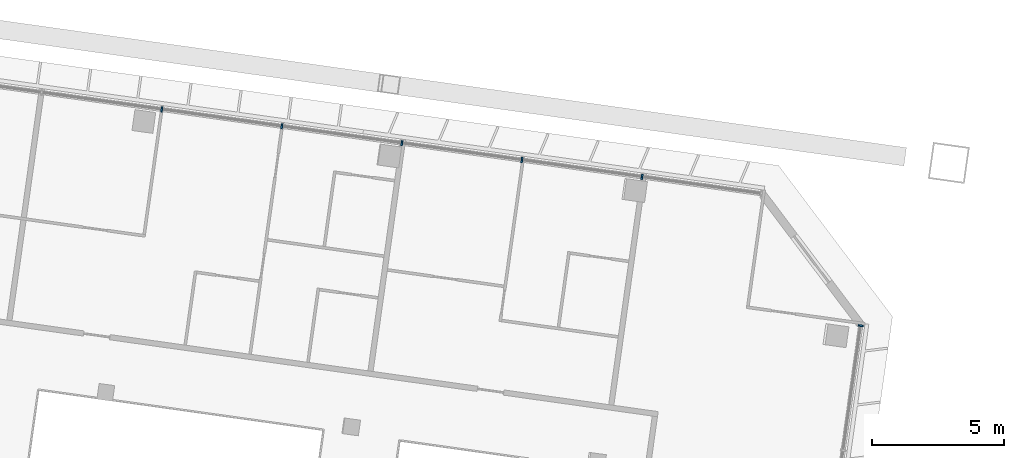
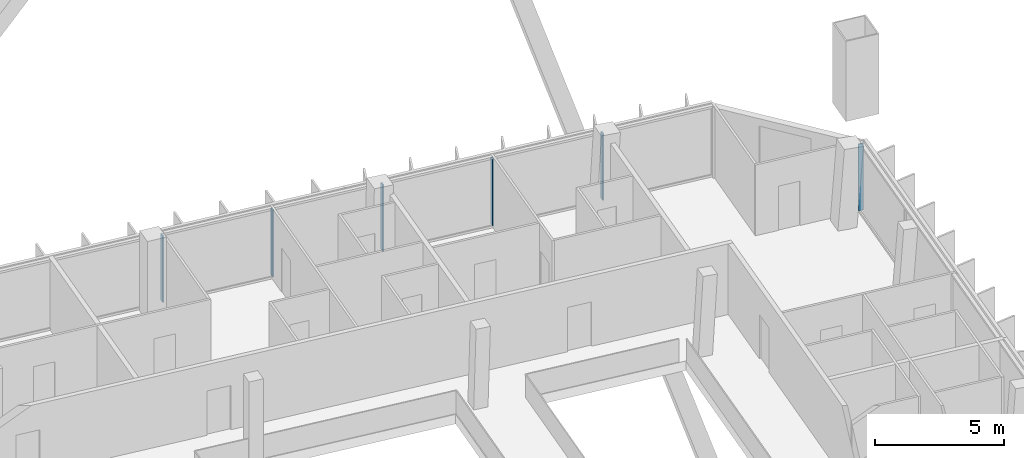
# One storey, part 11 of 38: 6 members, 2 elements without a shape of their own.
"""IFC4 building model written with IfcOpenShell, lengths in metres."""

from ifc_helpers import new_model, si_unit, direction, frame, origin, origin_2d, place, context, subcontext, project, spatial, rectangle, extrude, material, material_profile, profile_set, type_object, element, aggregate, save


model = new_model("IFC4")

# Units and contexts
model_context = context("Model", 3, precision=1e-05, world=origin(), true_north=direction((0.0, 1.0)))
body_context = subcontext(model_context, "Body", "Model", "MODEL_VIEW")
ifc_project = project(units=[si_unit("LENGTHUNIT", "METRE"), si_unit("AREAUNIT", "SQUARE_METRE"), si_unit("VOLUMEUNIT", "CUBIC_METRE"), si_unit("PLANEANGLEUNIT", "RADIAN"), si_unit("MASSUNIT", "GRAM", prefix="KILO")], contexts=[model_context])

# Site, building, storey
site_placement = place(None, origin())
site = spatial("IfcSite", under=ifc_project, at=site_placement, CompositionType="ELEMENT")
building_placement = place(site_placement, origin())
building = spatial("IfcBuilding", under=site, at=building_placement, Name="Mirante Cascada Hotel Towers", CompositionType="ELEMENT")
storey_placement = place(building_placement, frame((0.0, 0.0, 184.0)))
storey = spatial("IfcBuildingStorey", under=building, at=storey_placement, Name="L43", CompositionType="ELEMENT", Elevation=184.0)

# Curtain wall, members
ifc_material_1 = material(Name="Aluminium mullion and transom frame with clear laminated glass", Category="aluminium")
curtain_wall_type_1 = type_object("IfcCurtainWallType", Name="Ribbon curtain wall ECW1", PredefinedType="NOTDEFINED", material=ifc_material_1)
curtain_wall_1_placement = place(storey_placement, origin())
curtain_wall_1 = element("IfcCurtainWall", 1, at=curtain_wall_1_placement, inside=storey, type_object=curtain_wall_type_1, Name="Front ribbon wall T1 L43", PredefinedType="NOTDEFINED")
ifc_material_2 = material(Name="Anodised aluminium extrusion", Category="aluminium")
ifc_material_profile_1 = material_profile(ifc_material_2, rectangle(XDim=0.2, YDim=0.065, at=origin_2d()), Name="ECW1 MULLION 65x200")
ifc_profile_set_1 = profile_set([ifc_material_profile_1], Name="Anodised aluminium extrusion")
member_type_1 = type_object("IfcMemberType", Name="ECW1 mullion 65x200", PredefinedType="MULLION", material=ifc_profile_set_1)
member_1_placement = place(storey_placement, frame((-53.5096, 20.3393, 0.1), z_axis=(0.0, 0.0, 1.0), x_axis=(0.1391731, 0.9902681, 0.0)))
member_1 = element("IfcMember", 2, at=member_1_placement, type_object=member_type_1, Name="ECW1 mullion 6", PredefinedType="MULLION", context=body_context, shape_type="SweptSolid", body=[
    extrude(rectangle(XDim=0.2, YDim=0.065, at=origin_2d()), origin(), (0.0, 0.0, 1.0), 3.15),
])
member_2_placement = place(storey_placement, frame((-48.9448, 19.6978, 0.1), z_axis=(0.0, 0.0, 1.0), x_axis=(0.1391731, 0.9902681, 0.0)))
member_2 = element("IfcMember", 3, at=member_2_placement, type_object=member_type_1, Name="ECW1 mullion 7", PredefinedType="MULLION", context=body_context, shape_type="SweptSolid", body=[
    extrude(rectangle(XDim=0.2, YDim=0.065, at=origin_2d()), origin(), (0.0, 0.0, 1.0), 3.15),
])
member_3_placement = place(storey_placement, frame((-44.3801, 19.0562, 0.1), z_axis=(0.0, 0.0, 1.0), x_axis=(0.1391731, 0.9902681, 0.0)))
member_3 = element("IfcMember", 4, at=member_3_placement, type_object=member_type_1, Name="ECW1 mullion 8", PredefinedType="MULLION", context=body_context, shape_type="SweptSolid", body=[
    extrude(rectangle(XDim=0.2, YDim=0.065, at=origin_2d()), origin(), (0.0, 0.0, 1.0), 3.15),
])
member_4_placement = place(storey_placement, frame((-39.8153, 18.4147, 0.1), z_axis=(0.0, 0.0, 1.0), x_axis=(0.1391731, 0.9902681, 0.0)))
member_4 = element("IfcMember", 5, at=member_4_placement, type_object=member_type_1, Name="ECW1 mullion 9", PredefinedType="MULLION", context=body_context, shape_type="SweptSolid", body=[
    extrude(rectangle(XDim=0.2, YDim=0.065, at=origin_2d()), origin(), (0.0, 0.0, 1.0), 3.15),
])
member_5_placement = place(storey_placement, frame((-35.2506, 17.7732, 0.1), z_axis=(0.0, 0.0, 1.0), x_axis=(0.1391731, 0.9902681, 0.0)))
member_5 = element("IfcMember", 6, at=member_5_placement, type_object=member_type_1, Name="ECW1 mullion 10", PredefinedType="MULLION", context=body_context, shape_type="SweptSolid", body=[
    extrude(rectangle(XDim=0.2, YDim=0.065, at=origin_2d()), origin(), (0.0, 0.0, 1.0), 3.15),
])
aggregate(curtain_wall_1, [member_1, member_2, member_3, member_4, member_5])

# Curtain wall, member
ifc_material_3 = material(Name="Aluminium mullion and transom frame with clear laminated glass", Category="aluminium")
curtain_wall_type_2 = type_object("IfcCurtainWallType", Name="End ribbon curtain wall ECW2", PredefinedType="NOTDEFINED", material=ifc_material_3)
curtain_wall_2_placement = place(storey_placement, origin())
curtain_wall_2 = element("IfcCurtainWall", 7, at=curtain_wall_2_placement, inside=storey, type_object=curtain_wall_type_2, Name="Inner end wall T1 L43", PredefinedType="NOTDEFINED")
ifc_material_4 = material(Name="Anodised aluminium extrusion", Category="aluminium")
ifc_material_profile_2 = material_profile(ifc_material_4, rectangle(XDim=0.2, YDim=0.065, at=origin_2d()), Name="ECW2 MULLION 65x200")
ifc_profile_set_2 = profile_set([ifc_material_profile_2], Name="Anodised aluminium extrusion")
member_type_2 = type_object("IfcMemberType", Name="ECW2 mullion 65x200", PredefinedType="MULLION", material=ifc_profile_set_2)
member_6_placement = place(storey_placement, frame((-26.9352, 12.1162, 0.1), z_axis=(0.0, 0.0, 1.0), x_axis=(0.9902681, -0.1391731, 0.0)))
member_6 = element("IfcMember", 8, at=member_6_placement, type_object=member_type_2, Name="ECW2 mullion 1", PredefinedType="MULLION", context=body_context, shape_type="SweptSolid", body=[
    extrude(rectangle(XDim=0.2, YDim=0.065, at=origin_2d()), origin(), (0.0, 0.0, 1.0), 3.15),
])
aggregate(curtain_wall_2, [member_6])

save(model, "model.ifc")
